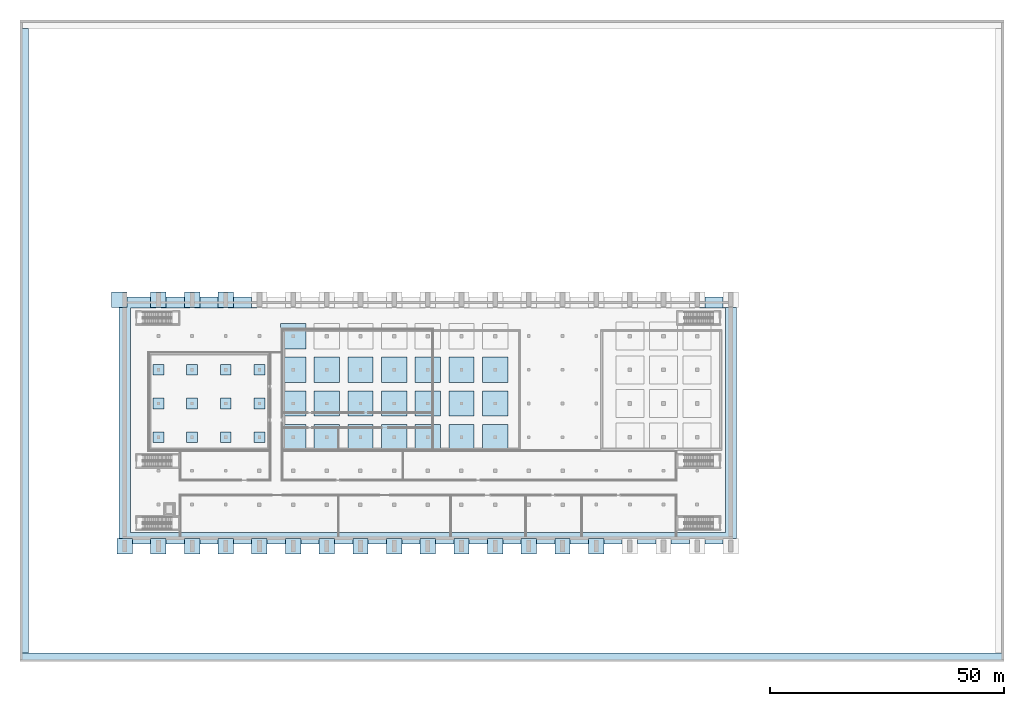
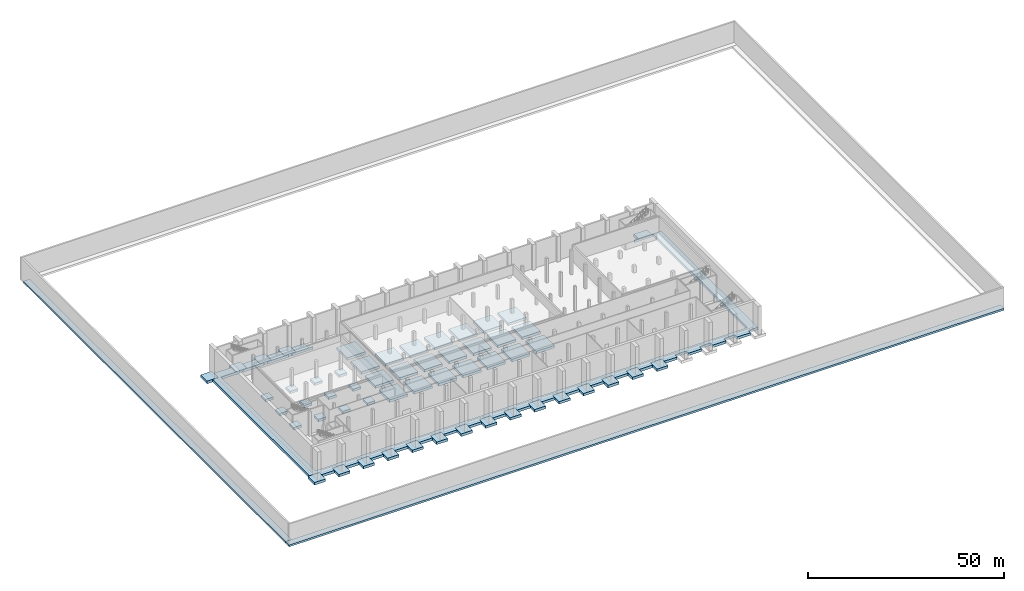
# One storey, part 1 of 14: 59 footings.
"""IFC4 building model written with IfcOpenShell, lengths in metres."""

from ifc_helpers import new_model, si_unit, direction, frame, origin, place, context, subcontext, project, spatial, polyline, outline, extrude, material, layer, layer_set, type_object, element, save


model = new_model("IFC4")

# Units and contexts
model_context = context("Model", 3, precision=1e-05, world=origin(), true_north=direction((0.0, 1.0)))
body_context = subcontext(model_context, "Body", "Model", "MODEL_VIEW")
ifc_project = project(units=[si_unit("LENGTHUNIT", "METRE"), si_unit("AREAUNIT", "SQUARE_METRE"), si_unit("VOLUMEUNIT", "CUBIC_METRE"), si_unit("PLANEANGLEUNIT", "RADIAN"), si_unit("MASSUNIT", "GRAM", prefix="KILO")], contexts=[model_context])

# Site, building, storey
site_placement = place(None, origin())
site = spatial("IfcSite", under=ifc_project, at=site_placement, CompositionType="ELEMENT")
building_placement = place(site_placement, origin())
building = spatial("IfcBuilding", under=site, at=building_placement, Name="Vermilion Court Aquatics Centre", CompositionType="ELEMENT")
storey_placement = place(building_placement, frame((0.0, 0.0, -8.0)))
storey = spatial("IfcBuildingStorey", under=building, at=storey_placement, Name="B1", CompositionType="ELEMENT", Elevation=-8.0)

# Footings
ifc_material_1 = material(Name="Concrete 5000 psi", Category="concrete")
ifc_layer_1 = layer(ifc_material_1, 0.800048828125)
ifc_layer_set_1 = layer_set([ifc_layer_1], Name="Hall competition column pad footing 5400")
footing_type_1 = type_object("IfcFootingType", Name="Hall competition column pad footing 5400", PredefinedType="PAD_FOOTING", material=ifc_layer_set_1)
footing_1_placement = place(storey_placement, frame((0.0, 0.0, -1.60009765625)))
element("IfcFooting", 1, at=footing_1_placement, inside=storey, type_object=footing_type_1, Name="Column pad footing", PredefinedType="PAD_FOOTING", context=body_context, shape_type="SweptSolid", body=[
    extrude(outline(polyline([(47.699951171875, 33.300048828125), (53.10009765625, 33.300048828125), (53.10009765625, 38.699951171875), (47.699951171875, 38.699951171875), (47.699951171875, 33.300048828125)])), origin(), (0.0, 0.0, 1.0), 0.800048828125),
])
footing_2_placement = place(storey_placement, frame((0.0, 0.0, -1.60009765625)))
element("IfcFooting", 2, at=footing_2_placement, inside=storey, type_object=footing_type_1, Name="Column pad footing", PredefinedType="PAD_FOOTING", context=body_context, shape_type="SweptSolid", body=[
    extrude(outline(polyline([(47.699951171875, 40.5), (53.10009765625, 40.5), (53.10009765625, 45.89990234375), (47.699951171875, 45.89990234375), (47.699951171875, 40.5)])), origin(), (0.0, 0.0, 1.0), 0.800048828125),
])
footing_3_placement = place(storey_placement, frame((0.0, 0.0, -1.60009765625)))
element("IfcFooting", 3, at=footing_3_placement, inside=storey, type_object=footing_type_1, Name="Column pad footing", PredefinedType="PAD_FOOTING", context=body_context, shape_type="SweptSolid", body=[
    extrude(outline(polyline([(47.699951171875, 47.699951171875), (53.10009765625, 47.699951171875), (53.10009765625, 53.10009765625), (47.699951171875, 53.10009765625), (47.699951171875, 47.699951171875)])), origin(), (0.0, 0.0, 1.0), 0.800048828125),
])
footing_4_placement = place(storey_placement, frame((0.0, 0.0, -1.60009765625)))
element("IfcFooting", 4, at=footing_4_placement, inside=storey, type_object=footing_type_1, Name="Column pad footing", PredefinedType="PAD_FOOTING", context=body_context, shape_type="SweptSolid", body=[
    extrude(outline(polyline([(47.699951171875, 54.89990234375), (53.10009765625, 54.89990234375), (53.10009765625, 60.300048828125), (47.699951171875, 60.300048828125), (47.699951171875, 54.89990234375)])), origin(), (0.0, 0.0, 1.0), 0.800048828125),
])
footing_5_placement = place(storey_placement, frame((0.0, 0.0, -1.60009765625)))
element("IfcFooting", 5, at=footing_5_placement, inside=storey, type_object=footing_type_1, Name="Column pad footing", PredefinedType="PAD_FOOTING", context=body_context, shape_type="SweptSolid", body=[
    extrude(outline(polyline([(54.89990234375, 33.300048828125), (60.300048828125, 33.300048828125), (60.300048828125, 38.699951171875), (54.89990234375, 38.699951171875), (54.89990234375, 33.300048828125)])), origin(), (0.0, 0.0, 1.0), 0.800048828125),
])
footing_6_placement = place(storey_placement, frame((0.0, 0.0, -1.60009765625)))
element("IfcFooting", 6, at=footing_6_placement, inside=storey, type_object=footing_type_1, Name="Column pad footing", PredefinedType="PAD_FOOTING", context=body_context, shape_type="SweptSolid", body=[
    extrude(outline(polyline([(54.89990234375, 40.5), (60.300048828125, 40.5), (60.300048828125, 45.89990234375), (54.89990234375, 45.89990234375), (54.89990234375, 40.5)])), origin(), (0.0, 0.0, 1.0), 0.800048828125),
])
footing_7_placement = place(storey_placement, frame((0.0, 0.0, -1.60009765625)))
element("IfcFooting", 7, at=footing_7_placement, inside=storey, type_object=footing_type_1, Name="Column pad footing", PredefinedType="PAD_FOOTING", context=body_context, shape_type="SweptSolid", body=[
    extrude(outline(polyline([(54.89990234375, 47.699951171875), (60.300048828125, 47.699951171875), (60.300048828125, 53.10009765625), (54.89990234375, 53.10009765625), (54.89990234375, 47.699951171875)])), origin(), (0.0, 0.0, 1.0), 0.800048828125),
])
footing_8_placement = place(storey_placement, frame((0.0, 0.0, -1.60009765625)))
element("IfcFooting", 8, at=footing_8_placement, inside=storey, type_object=footing_type_1, Name="Column pad footing", PredefinedType="PAD_FOOTING", context=body_context, shape_type="SweptSolid", body=[
    extrude(outline(polyline([(62.10009765625, 33.300048828125), (67.5, 33.300048828125), (67.5, 38.699951171875), (62.10009765625, 38.699951171875), (62.10009765625, 33.300048828125)])), origin(), (0.0, 0.0, 1.0), 0.800048828125),
])
footing_9_placement = place(storey_placement, frame((0.0, 0.0, -1.60009765625)))
element("IfcFooting", 9, at=footing_9_placement, inside=storey, type_object=footing_type_1, Name="Column pad footing", PredefinedType="PAD_FOOTING", context=body_context, shape_type="SweptSolid", body=[
    extrude(outline(polyline([(62.10009765625, 40.5), (67.5, 40.5), (67.5, 45.89990234375), (62.10009765625, 45.89990234375), (62.10009765625, 40.5)])), origin(), (0.0, 0.0, 1.0), 0.800048828125),
])
footing_10_placement = place(storey_placement, frame((0.0, 0.0, -1.60009765625)))
element("IfcFooting", 10, at=footing_10_placement, inside=storey, type_object=footing_type_1, Name="Column pad footing", PredefinedType="PAD_FOOTING", context=body_context, shape_type="SweptSolid", body=[
    extrude(outline(polyline([(62.10009765625, 47.699951171875), (67.5, 47.699951171875), (67.5, 53.10009765625), (62.10009765625, 53.10009765625), (62.10009765625, 47.699951171875)])), origin(), (0.0, 0.0, 1.0), 0.800048828125),
])
footing_11_placement = place(storey_placement, frame((0.0, 0.0, -1.60009765625)))
element("IfcFooting", 11, at=footing_11_placement, inside=storey, type_object=footing_type_1, Name="Column pad footing", PredefinedType="PAD_FOOTING", context=body_context, shape_type="SweptSolid", body=[
    extrude(outline(polyline([(69.300048828125, 33.300048828125), (74.699951171875, 33.300048828125), (74.699951171875, 38.699951171875), (69.300048828125, 38.699951171875), (69.300048828125, 33.300048828125)])), origin(), (0.0, 0.0, 1.0), 0.800048828125),
])
footing_12_placement = place(storey_placement, frame((0.0, 0.0, -1.60009765625)))
element("IfcFooting", 12, at=footing_12_placement, inside=storey, type_object=footing_type_1, Name="Column pad footing", PredefinedType="PAD_FOOTING", context=body_context, shape_type="SweptSolid", body=[
    extrude(outline(polyline([(69.300048828125, 40.5), (74.699951171875, 40.5), (74.699951171875, 45.89990234375), (69.300048828125, 45.89990234375), (69.300048828125, 40.5)])), origin(), (0.0, 0.0, 1.0), 0.800048828125),
])
footing_13_placement = place(storey_placement, frame((0.0, 0.0, -1.60009765625)))
element("IfcFooting", 13, at=footing_13_placement, inside=storey, type_object=footing_type_1, Name="Column pad footing", PredefinedType="PAD_FOOTING", context=body_context, shape_type="SweptSolid", body=[
    extrude(outline(polyline([(69.300048828125, 47.699951171875), (74.699951171875, 47.699951171875), (74.699951171875, 53.10009765625), (69.300048828125, 53.10009765625), (69.300048828125, 47.699951171875)])), origin(), (0.0, 0.0, 1.0), 0.800048828125),
])
footing_14_placement = place(storey_placement, frame((0.0, 0.0, -1.60009765625)))
element("IfcFooting", 14, at=footing_14_placement, inside=storey, type_object=footing_type_1, Name="Column pad footing", PredefinedType="PAD_FOOTING", context=body_context, shape_type="SweptSolid", body=[
    extrude(outline(polyline([(76.5, 33.300048828125), (81.89990234375, 33.300048828125), (81.89990234375, 38.699951171875), (76.5, 38.699951171875), (76.5, 33.300048828125)])), origin(), (0.0, 0.0, 1.0), 0.800048828125),
])
footing_15_placement = place(storey_placement, frame((0.0, 0.0, -1.60009765625)))
element("IfcFooting", 15, at=footing_15_placement, inside=storey, type_object=footing_type_1, Name="Column pad footing", PredefinedType="PAD_FOOTING", context=body_context, shape_type="SweptSolid", body=[
    extrude(outline(polyline([(76.5, 40.5), (81.89990234375, 40.5), (81.89990234375, 45.89990234375), (76.5, 45.89990234375), (76.5, 40.5)])), origin(), (0.0, 0.0, 1.0), 0.800048828125),
])
footing_16_placement = place(storey_placement, frame((0.0, 0.0, -1.60009765625)))
element("IfcFooting", 16, at=footing_16_placement, inside=storey, type_object=footing_type_1, Name="Column pad footing", PredefinedType="PAD_FOOTING", context=body_context, shape_type="SweptSolid", body=[
    extrude(outline(polyline([(76.5, 47.699951171875), (81.89990234375, 47.699951171875), (81.89990234375, 53.10009765625), (76.5, 53.10009765625), (76.5, 47.699951171875)])), origin(), (0.0, 0.0, 1.0), 0.800048828125),
])
footing_17_placement = place(storey_placement, frame((0.0, 0.0, -1.60009765625)))
element("IfcFooting", 17, at=footing_17_placement, inside=storey, type_object=footing_type_1, Name="Column pad footing", PredefinedType="PAD_FOOTING", context=body_context, shape_type="SweptSolid", body=[
    extrude(outline(polyline([(83.699951171875, 33.300048828125), (89.10009765625, 33.300048828125), (89.10009765625, 38.699951171875), (83.699951171875, 38.699951171875), (83.699951171875, 33.300048828125)])), origin(), (0.0, 0.0, 1.0), 0.800048828125),
])
footing_18_placement = place(storey_placement, frame((0.0, 0.0, -1.60009765625)))
element("IfcFooting", 18, at=footing_18_placement, inside=storey, type_object=footing_type_1, Name="Column pad footing", PredefinedType="PAD_FOOTING", context=body_context, shape_type="SweptSolid", body=[
    extrude(outline(polyline([(83.699951171875, 40.5), (89.10009765625, 40.5), (89.10009765625, 45.89990234375), (83.699951171875, 45.89990234375), (83.699951171875, 40.5)])), origin(), (0.0, 0.0, 1.0), 0.800048828125),
])
footing_19_placement = place(storey_placement, frame((0.0, 0.0, -1.60009765625)))
element("IfcFooting", 19, at=footing_19_placement, inside=storey, type_object=footing_type_1, Name="Column pad footing", PredefinedType="PAD_FOOTING", context=body_context, shape_type="SweptSolid", body=[
    extrude(outline(polyline([(83.699951171875, 47.699951171875), (89.10009765625, 47.699951171875), (89.10009765625, 53.10009765625), (83.699951171875, 53.10009765625), (83.699951171875, 47.699951171875)])), origin(), (0.0, 0.0, 1.0), 0.800048828125),
])
footing_20_placement = place(storey_placement, frame((0.0, 0.0, -1.60009765625)))
element("IfcFooting", 20, at=footing_20_placement, inside=storey, type_object=footing_type_1, Name="Column pad footing", PredefinedType="PAD_FOOTING", context=body_context, shape_type="SweptSolid", body=[
    extrude(outline(polyline([(90.89990234375, 33.300048828125), (96.300048828125, 33.300048828125), (96.300048828125, 38.699951171875), (90.89990234375, 38.699951171875), (90.89990234375, 33.300048828125)])), origin(), (0.0, 0.0, 1.0), 0.800048828125),
])
footing_21_placement = place(storey_placement, frame((0.0, 0.0, -1.60009765625)))
element("IfcFooting", 21, at=footing_21_placement, inside=storey, type_object=footing_type_1, Name="Column pad footing", PredefinedType="PAD_FOOTING", context=body_context, shape_type="SweptSolid", body=[
    extrude(outline(polyline([(90.89990234375, 40.5), (96.300048828125, 40.5), (96.300048828125, 45.89990234375), (90.89990234375, 45.89990234375), (90.89990234375, 40.5)])), origin(), (0.0, 0.0, 1.0), 0.800048828125),
])
footing_22_placement = place(storey_placement, frame((0.0, 0.0, -1.60009765625)))
element("IfcFooting", 22, at=footing_22_placement, inside=storey, type_object=footing_type_1, Name="Column pad footing", PredefinedType="PAD_FOOTING", context=body_context, shape_type="SweptSolid", body=[
    extrude(outline(polyline([(90.89990234375, 47.699951171875), (96.300048828125, 47.699951171875), (96.300048828125, 53.10009765625), (90.89990234375, 53.10009765625), (90.89990234375, 47.699951171875)])), origin(), (0.0, 0.0, 1.0), 0.800048828125),
])
ifc_material_2 = material(Name="Concrete 5000 psi", Category="concrete")
ifc_layer_2 = layer(ifc_material_2, 0.75)
ifc_layer_set_2 = layer_set([ifc_layer_2], Name="Hall pad footing 2300")
footing_type_2 = type_object("IfcFootingType", Name="Hall pad footing 2300", PredefinedType="PAD_FOOTING", material=ifc_layer_set_2)
footing_23_placement = place(storey_placement, frame((0.0, 0.0, -1.550048828125)))
element("IfcFooting", 23, at=footing_23_placement, inside=storey, type_object=footing_type_2, Name="Column pad footing", PredefinedType="PAD_FOOTING", context=body_context, shape_type="SweptSolid", body=[
    extrude(outline(polyline([(20.449951171875, 34.85009765625), (22.75, 34.85009765625), (22.75, 37.14990234375), (20.449951171875, 37.14990234375), (20.449951171875, 34.85009765625)])), origin(), (0.0, 0.0, 1.0), 0.75),
])
footing_24_placement = place(storey_placement, frame((0.0, 0.0, -1.550048828125)))
element("IfcFooting", 24, at=footing_24_placement, inside=storey, type_object=footing_type_2, Name="Column pad footing", PredefinedType="PAD_FOOTING", context=body_context, shape_type="SweptSolid", body=[
    extrude(outline(polyline([(20.449951171875, 42.050048828125), (22.75, 42.050048828125), (22.75, 44.35009765625), (20.449951171875, 44.35009765625), (20.449951171875, 42.050048828125)])), origin(), (0.0, 0.0, 1.0), 0.75),
])
footing_25_placement = place(storey_placement, frame((0.0, 0.0, -1.550048828125)))
element("IfcFooting", 25, at=footing_25_placement, inside=storey, type_object=footing_type_2, Name="Column pad footing", PredefinedType="PAD_FOOTING", context=body_context, shape_type="SweptSolid", body=[
    extrude(outline(polyline([(20.449951171875, 49.25), (22.75, 49.25), (22.75, 51.550048828125), (20.449951171875, 51.550048828125), (20.449951171875, 49.25)])), origin(), (0.0, 0.0, 1.0), 0.75),
])
footing_26_placement = place(storey_placement, frame((0.0, 0.0, -1.550048828125)))
element("IfcFooting", 26, at=footing_26_placement, inside=storey, type_object=footing_type_2, Name="Column pad footing", PredefinedType="PAD_FOOTING", context=body_context, shape_type="SweptSolid", body=[
    extrude(outline(polyline([(27.64990234375, 34.85009765625), (29.949951171875, 34.85009765625), (29.949951171875, 37.14990234375), (27.64990234375, 37.14990234375), (27.64990234375, 34.85009765625)])), origin(), (0.0, 0.0, 1.0), 0.75),
])
footing_27_placement = place(storey_placement, frame((0.0, 0.0, -1.550048828125)))
element("IfcFooting", 27, at=footing_27_placement, inside=storey, type_object=footing_type_2, Name="Column pad footing", PredefinedType="PAD_FOOTING", context=body_context, shape_type="SweptSolid", body=[
    extrude(outline(polyline([(27.64990234375, 42.050048828125), (29.949951171875, 42.050048828125), (29.949951171875, 44.35009765625), (27.64990234375, 44.35009765625), (27.64990234375, 42.050048828125)])), origin(), (0.0, 0.0, 1.0), 0.75),
])
footing_28_placement = place(storey_placement, frame((0.0, 0.0, -1.550048828125)))
element("IfcFooting", 28, at=footing_28_placement, inside=storey, type_object=footing_type_2, Name="Column pad footing", PredefinedType="PAD_FOOTING", context=body_context, shape_type="SweptSolid", body=[
    extrude(outline(polyline([(27.64990234375, 49.25), (29.949951171875, 49.25), (29.949951171875, 51.550048828125), (27.64990234375, 51.550048828125), (27.64990234375, 49.25)])), origin(), (0.0, 0.0, 1.0), 0.75),
])
footing_29_placement = place(storey_placement, frame((0.0, 0.0, -1.550048828125)))
element("IfcFooting", 29, at=footing_29_placement, inside=storey, type_object=footing_type_2, Name="Column pad footing", PredefinedType="PAD_FOOTING", context=body_context, shape_type="SweptSolid", body=[
    extrude(outline(polyline([(34.85009765625, 34.85009765625), (37.14990234375, 34.85009765625), (37.14990234375, 37.14990234375), (34.85009765625, 37.14990234375), (34.85009765625, 34.85009765625)])), origin(), (0.0, 0.0, 1.0), 0.75),
])
footing_30_placement = place(storey_placement, frame((0.0, 0.0, -1.550048828125)))
element("IfcFooting", 30, at=footing_30_placement, inside=storey, type_object=footing_type_2, Name="Column pad footing", PredefinedType="PAD_FOOTING", context=body_context, shape_type="SweptSolid", body=[
    extrude(outline(polyline([(34.85009765625, 42.050048828125), (37.14990234375, 42.050048828125), (37.14990234375, 44.35009765625), (34.85009765625, 44.35009765625), (34.85009765625, 42.050048828125)])), origin(), (0.0, 0.0, 1.0), 0.75),
])
footing_31_placement = place(storey_placement, frame((0.0, 0.0, -1.550048828125)))
element("IfcFooting", 31, at=footing_31_placement, inside=storey, type_object=footing_type_2, Name="Column pad footing", PredefinedType="PAD_FOOTING", context=body_context, shape_type="SweptSolid", body=[
    extrude(outline(polyline([(34.85009765625, 49.25), (37.14990234375, 49.25), (37.14990234375, 51.550048828125), (34.85009765625, 51.550048828125), (34.85009765625, 49.25)])), origin(), (0.0, 0.0, 1.0), 0.75),
])
footing_32_placement = place(storey_placement, frame((0.0, 0.0, -1.550048828125)))
element("IfcFooting", 32, at=footing_32_placement, inside=storey, type_object=footing_type_2, Name="Column pad footing", PredefinedType="PAD_FOOTING", context=body_context, shape_type="SweptSolid", body=[
    extrude(outline(polyline([(42.050048828125, 34.85009765625), (44.35009765625, 34.85009765625), (44.35009765625, 37.14990234375), (42.050048828125, 37.14990234375), (42.050048828125, 34.85009765625)])), origin(), (0.0, 0.0, 1.0), 0.75),
])
footing_33_placement = place(storey_placement, frame((0.0, 0.0, -1.550048828125)))
element("IfcFooting", 33, at=footing_33_placement, inside=storey, type_object=footing_type_2, Name="Column pad footing", PredefinedType="PAD_FOOTING", context=body_context, shape_type="SweptSolid", body=[
    extrude(outline(polyline([(42.050048828125, 42.050048828125), (44.35009765625, 42.050048828125), (44.35009765625, 44.35009765625), (42.050048828125, 44.35009765625), (42.050048828125, 42.050048828125)])), origin(), (0.0, 0.0, 1.0), 0.75),
])
footing_34_placement = place(storey_placement, frame((0.0, 0.0, -1.550048828125)))
element("IfcFooting", 34, at=footing_34_placement, inside=storey, type_object=footing_type_2, Name="Column pad footing", PredefinedType="PAD_FOOTING", context=body_context, shape_type="SweptSolid", body=[
    extrude(outline(polyline([(42.050048828125, 49.25), (44.35009765625, 49.25), (44.35009765625, 51.550048828125), (42.050048828125, 51.550048828125), (42.050048828125, 49.25)])), origin(), (0.0, 0.0, 1.0), 0.75),
])
ifc_material_3 = material(Name="Concrete 5000 psi", Category="concrete")
ifc_layer_3 = layer(ifc_material_3, 0.800048828125)
ifc_layer_set_3 = layer_set([ifc_layer_3], Name="Hall pier pad footing 3300")
footing_type_3 = type_object("IfcFootingType", Name="Hall pier pad footing 3300", PredefinedType="PAD_FOOTING", material=ifc_layer_set_3)
footing_35_placement = place(storey_placement, frame((0.0, 0.0, -1.60009765625)))
element("IfcFooting", 35, at=footing_35_placement, inside=storey, type_object=footing_type_3, Name="Pier pad footing", PredefinedType="PAD_FOOTING", context=body_context, shape_type="SweptSolid", body=[
    extrude(outline(polyline([(11.60009765625, 63.75), (14.89990234375, 63.75), (14.89990234375, 67.050048828125), (11.60009765625, 67.050048828125), (11.60009765625, 63.75)])), origin(), (0.0, 0.0, 1.0), 0.800048828125),
])
footing_36_placement = place(storey_placement, frame((0.0, 0.0, -1.60009765625)))
element("IfcFooting", 36, at=footing_36_placement, inside=storey, type_object=footing_type_3, Name="Pier pad footing", PredefinedType="PAD_FOOTING", context=body_context, shape_type="SweptSolid", body=[
    extrude(outline(polyline([(12.75, 11.050048828125), (16.050048828125, 11.050048828125), (16.050048828125, 14.35009765625), (12.75, 14.35009765625), (12.75, 11.050048828125)])), origin(), (0.0, 0.0, 1.0), 0.800048828125),
])
footing_37_placement = place(storey_placement, frame((0.0, 0.0, -1.60009765625)))
element("IfcFooting", 37, at=footing_37_placement, inside=storey, type_object=footing_type_3, Name="Pier pad footing", PredefinedType="PAD_FOOTING", context=body_context, shape_type="SweptSolid", body=[
    extrude(outline(polyline([(19.949951171875, 63.75), (23.25, 63.75), (23.25, 67.050048828125), (19.949951171875, 67.050048828125), (19.949951171875, 63.75)])), origin(), (0.0, 0.0, 1.0), 0.800048828125),
])
footing_38_placement = place(storey_placement, frame((0.0, 0.0, -1.60009765625)))
element("IfcFooting", 38, at=footing_38_placement, inside=storey, type_object=footing_type_3, Name="Pier pad footing", PredefinedType="PAD_FOOTING", context=body_context, shape_type="SweptSolid", body=[
    extrude(outline(polyline([(19.949951171875, 11.050048828125), (23.25, 11.050048828125), (23.25, 14.35009765625), (19.949951171875, 14.35009765625), (19.949951171875, 11.050048828125)])), origin(), (0.0, 0.0, 1.0), 0.800048828125),
])
footing_39_placement = place(storey_placement, frame((0.0, 0.0, -1.60009765625)))
element("IfcFooting", 39, at=footing_39_placement, inside=storey, type_object=footing_type_3, Name="Pier pad footing", PredefinedType="PAD_FOOTING", context=body_context, shape_type="SweptSolid", body=[
    extrude(outline(polyline([(27.14990234375, 63.75), (30.449951171875, 63.75), (30.449951171875, 67.050048828125), (27.14990234375, 67.050048828125), (27.14990234375, 63.75)])), origin(), (0.0, 0.0, 1.0), 0.800048828125),
])
footing_40_placement = place(storey_placement, frame((0.0, 0.0, -1.60009765625)))
element("IfcFooting", 40, at=footing_40_placement, inside=storey, type_object=footing_type_3, Name="Pier pad footing", PredefinedType="PAD_FOOTING", context=body_context, shape_type="SweptSolid", body=[
    extrude(outline(polyline([(27.14990234375, 11.050048828125), (30.449951171875, 11.050048828125), (30.449951171875, 14.35009765625), (27.14990234375, 14.35009765625), (27.14990234375, 11.050048828125)])), origin(), (0.0, 0.0, 1.0), 0.800048828125),
])
footing_41_placement = place(storey_placement, frame((0.0, 0.0, -1.60009765625)))
element("IfcFooting", 41, at=footing_41_placement, inside=storey, type_object=footing_type_3, Name="Pier pad footing", PredefinedType="PAD_FOOTING", context=body_context, shape_type="SweptSolid", body=[
    extrude(outline(polyline([(34.35009765625, 63.75), (37.64990234375, 63.75), (37.64990234375, 67.050048828125), (34.35009765625, 67.050048828125), (34.35009765625, 63.75)])), origin(), (0.0, 0.0, 1.0), 0.800048828125),
])
footing_42_placement = place(storey_placement, frame((0.0, 0.0, -1.60009765625)))
element("IfcFooting", 42, at=footing_42_placement, inside=storey, type_object=footing_type_3, Name="Pier pad footing", PredefinedType="PAD_FOOTING", context=body_context, shape_type="SweptSolid", body=[
    extrude(outline(polyline([(34.35009765625, 11.050048828125), (37.64990234375, 11.050048828125), (37.64990234375, 14.35009765625), (34.35009765625, 14.35009765625), (34.35009765625, 11.050048828125)])), origin(), (0.0, 0.0, 1.0), 0.800048828125),
])
footing_43_placement = place(storey_placement, frame((0.0, 0.0, -1.60009765625)))
element("IfcFooting", 43, at=footing_43_placement, inside=storey, type_object=footing_type_3, Name="Pier pad footing", PredefinedType="PAD_FOOTING", context=body_context, shape_type="SweptSolid", body=[
    extrude(outline(polyline([(41.550048828125, 11.050048828125), (44.85009765625, 11.050048828125), (44.85009765625, 14.35009765625), (41.550048828125, 14.35009765625), (41.550048828125, 11.050048828125)])), origin(), (0.0, 0.0, 1.0), 0.800048828125),
])
footing_44_placement = place(storey_placement, frame((0.0, 0.0, -1.60009765625)))
element("IfcFooting", 44, at=footing_44_placement, inside=storey, type_object=footing_type_3, Name="Pier pad footing", PredefinedType="PAD_FOOTING", context=body_context, shape_type="SweptSolid", body=[
    extrude(outline(polyline([(48.75, 11.050048828125), (52.050048828125, 11.050048828125), (52.050048828125, 14.35009765625), (48.75, 14.35009765625), (48.75, 11.050048828125)])), origin(), (0.0, 0.0, 1.0), 0.800048828125),
])
footing_45_placement = place(storey_placement, frame((0.0, 0.0, -1.60009765625)))
element("IfcFooting", 45, at=footing_45_placement, inside=storey, type_object=footing_type_3, Name="Pier pad footing", PredefinedType="PAD_FOOTING", context=body_context, shape_type="SweptSolid", body=[
    extrude(outline(polyline([(55.949951171875, 11.050048828125), (59.25, 11.050048828125), (59.25, 14.35009765625), (55.949951171875, 14.35009765625), (55.949951171875, 11.050048828125)])), origin(), (0.0, 0.0, 1.0), 0.800048828125),
])
footing_46_placement = place(storey_placement, frame((0.0, 0.0, -1.60009765625)))
element("IfcFooting", 46, at=footing_46_placement, inside=storey, type_object=footing_type_3, Name="Pier pad footing", PredefinedType="PAD_FOOTING", context=body_context, shape_type="SweptSolid", body=[
    extrude(outline(polyline([(63.14990234375, 11.050048828125), (66.449951171875, 11.050048828125), (66.449951171875, 14.35009765625), (63.14990234375, 14.35009765625), (63.14990234375, 11.050048828125)])), origin(), (0.0, 0.0, 1.0), 0.800048828125),
])
footing_47_placement = place(storey_placement, frame((0.0, 0.0, -1.60009765625)))
element("IfcFooting", 47, at=footing_47_placement, inside=storey, type_object=footing_type_3, Name="Pier pad footing", PredefinedType="PAD_FOOTING", context=body_context, shape_type="SweptSolid", body=[
    extrude(outline(polyline([(70.35009765625, 11.050048828125), (73.64990234375, 11.050048828125), (73.64990234375, 14.35009765625), (70.35009765625, 14.35009765625), (70.35009765625, 11.050048828125)])), origin(), (0.0, 0.0, 1.0), 0.800048828125),
])
footing_48_placement = place(storey_placement, frame((0.0, 0.0, -1.60009765625)))
element("IfcFooting", 48, at=footing_48_placement, inside=storey, type_object=footing_type_3, Name="Pier pad footing", PredefinedType="PAD_FOOTING", context=body_context, shape_type="SweptSolid", body=[
    extrude(outline(polyline([(77.550048828125, 11.050048828125), (80.85009765625, 11.050048828125), (80.85009765625, 14.35009765625), (77.550048828125, 14.35009765625), (77.550048828125, 11.050048828125)])), origin(), (0.0, 0.0, 1.0), 0.800048828125),
])
footing_49_placement = place(storey_placement, frame((0.0, 0.0, -1.60009765625)))
element("IfcFooting", 49, at=footing_49_placement, inside=storey, type_object=footing_type_3, Name="Pier pad footing", PredefinedType="PAD_FOOTING", context=body_context, shape_type="SweptSolid", body=[
    extrude(outline(polyline([(84.75, 11.050048828125), (88.050048828125, 11.050048828125), (88.050048828125, 14.35009765625), (84.75, 14.35009765625), (84.75, 11.050048828125)])), origin(), (0.0, 0.0, 1.0), 0.800048828125),
])
footing_50_placement = place(storey_placement, frame((0.0, 0.0, -1.60009765625)))
element("IfcFooting", 50, at=footing_50_placement, inside=storey, type_object=footing_type_3, Name="Pier pad footing", PredefinedType="PAD_FOOTING", context=body_context, shape_type="SweptSolid", body=[
    extrude(outline(polyline([(91.949951171875, 11.050048828125), (95.25, 11.050048828125), (95.25, 14.35009765625), (91.949951171875, 14.35009765625), (91.949951171875, 11.050048828125)])), origin(), (0.0, 0.0, 1.0), 0.800048828125),
])
footing_51_placement = place(storey_placement, frame((0.0, 0.0, -1.60009765625)))
element("IfcFooting", 51, at=footing_51_placement, inside=storey, type_object=footing_type_3, Name="Pier pad footing", PredefinedType="PAD_FOOTING", context=body_context, shape_type="SweptSolid", body=[
    extrude(outline(polyline([(99.14990234375, 11.050048828125), (102.449951171875, 11.050048828125), (102.449951171875, 14.35009765625), (99.14990234375, 14.35009765625), (99.14990234375, 11.050048828125)])), origin(), (0.0, 0.0, 1.0), 0.800048828125),
])
footing_52_placement = place(storey_placement, frame((0.0, 0.0, -1.60009765625)))
element("IfcFooting", 52, at=footing_52_placement, inside=storey, type_object=footing_type_3, Name="Pier pad footing", PredefinedType="PAD_FOOTING", context=body_context, shape_type="SweptSolid", body=[
    extrude(outline(polyline([(106.35009765625, 11.050048828125), (109.64990234375, 11.050048828125), (109.64990234375, 14.35009765625), (106.35009765625, 14.35009765625), (106.35009765625, 11.050048828125)])), origin(), (0.0, 0.0, 1.0), 0.800048828125),
])
footing_53_placement = place(storey_placement, frame((0.0, 0.0, -1.60009765625)))
element("IfcFooting", 53, at=footing_53_placement, inside=storey, type_object=footing_type_3, Name="Pier pad footing", PredefinedType="PAD_FOOTING", context=body_context, shape_type="SweptSolid", body=[
    extrude(outline(polyline([(113.550048828125, 11.050048828125), (116.85009765625, 11.050048828125), (116.85009765625, 14.35009765625), (113.550048828125, 14.35009765625), (113.550048828125, 11.050048828125)])), origin(), (0.0, 0.0, 1.0), 0.800048828125),
])
ifc_material_4 = material(Name="Concrete 5000 psi", Category="concrete")
ifc_layer_4 = layer(ifc_material_4, 0.800048828125)
ifc_layer_set_4 = layer_set([ifc_layer_4], Name="Hall wall strip footing 2400")
footing_type_4 = type_object("IfcFootingType", Name="Hall wall strip footing 2400", PredefinedType="STRIP_FOOTING", material=ifc_layer_set_4)
footing_54_placement = place(storey_placement, frame((0.0, 0.0, -1.60009765625)))
element("IfcFooting", 54, at=footing_54_placement, inside=storey, type_object=footing_type_4, Name="Wall strip footing", PredefinedType="STRIP_FOOTING", context=body_context, shape_type="SweptSolid", body=[
    extrude(outline(polyline([(13.199951171875, 63.75), (14.89990234375, 63.75), (14.89990234375, 63.89990234375), (14.89990234375, 66.0), (19.949951171875, 66.0), (19.949951171875, 63.75), (21.10009765625, 63.75), (21.10009765625, 63.60009765625), (15.60009765625, 63.60009765625), (15.60009765625, 15.60009765625), (142.800048828125, 15.60009765625), (142.800048828125, 63.60009765625), (137.300048828125, 63.60009765625), (137.300048828125, 63.75), (138.449951171875, 63.75), (138.449951171875, 66.0), (142.35009765625, 66.0), (142.35009765625, 63.75), (145.199951171875, 63.75), (145.199951171875, 15.60009765625), (145.199951171875, 14.35009765625), (142.35009765625, 14.35009765625), (142.35009765625, 13.199951171875), (138.449951171875, 13.199951171875), (138.449951171875, 14.35009765625), (135.14990234375, 14.35009765625), (135.14990234375, 13.199951171875), (131.25, 13.199951171875), (131.25, 14.35009765625), (127.949951171875, 14.35009765625), (127.949951171875, 13.199951171875), (124.050048828125, 13.199951171875), (124.050048828125, 14.35009765625), (120.75, 14.35009765625), (120.75, 13.199951171875), (116.85009765625, 13.199951171875), (116.85009765625, 14.35009765625), (113.550048828125, 14.35009765625), (113.550048828125, 13.199951171875), (109.64990234375, 13.199951171875), (109.64990234375, 14.35009765625), (106.35009765625, 14.35009765625), (106.35009765625, 13.199951171875), (102.449951171875, 13.199951171875), (102.449951171875, 14.35009765625), (99.14990234375, 14.35009765625), (99.14990234375, 13.199951171875), (95.25, 13.199951171875), (95.25, 14.35009765625), (91.949951171875, 14.35009765625), (91.949951171875, 13.199951171875), (88.050048828125, 13.199951171875), (88.050048828125, 14.35009765625), (84.75, 14.35009765625), (84.75, 13.199951171875), (80.85009765625, 13.199951171875), (80.85009765625, 14.35009765625), (77.550048828125, 14.35009765625), (77.550048828125, 13.199951171875), (73.64990234375, 13.199951171875), (73.64990234375, 14.35009765625), (70.35009765625, 14.35009765625), (70.35009765625, 13.199951171875), (66.449951171875, 13.199951171875), (66.449951171875, 14.35009765625), (63.14990234375, 14.35009765625), (63.14990234375, 13.199951171875), (59.25, 13.199951171875), (59.25, 14.35009765625), (55.949951171875, 14.35009765625), (55.949951171875, 13.199951171875), (52.050048828125, 13.199951171875), (52.050048828125, 14.35009765625), (48.75, 14.35009765625), (48.75, 13.199951171875), (44.85009765625, 13.199951171875), (44.85009765625, 14.35009765625), (41.550048828125, 14.35009765625), (41.550048828125, 13.199951171875), (37.64990234375, 13.199951171875), (37.64990234375, 14.35009765625), (34.35009765625, 14.35009765625), (34.35009765625, 13.199951171875), (30.449951171875, 13.199951171875), (30.449951171875, 14.35009765625), (27.14990234375, 14.35009765625), (27.14990234375, 13.199951171875), (23.25, 13.199951171875), (23.25, 14.35009765625), (19.949951171875, 14.35009765625), (19.949951171875, 13.199951171875), (16.050048828125, 13.199951171875), (16.050048828125, 14.35009765625), (13.199951171875, 14.35009765625), (13.199951171875, 15.60009765625), (13.199951171875, 63.75)])), origin(), (0.0, 0.0, 1.0), 0.800048828125),
])
footing_55_placement = place(storey_placement, frame((0.0, 0.0, -1.60009765625)))
element("IfcFooting", 55, at=footing_55_placement, inside=storey, type_object=footing_type_4, Name="Wall strip footing", PredefinedType="STRIP_FOOTING", context=body_context, shape_type="SweptSolid", body=[
    extrude(outline(polyline([(22.10009765625, 63.75), (23.25, 63.75), (23.25, 66.0), (27.14990234375, 66.0), (27.14990234375, 63.75), (28.300048828125, 63.75), (28.300048828125, 63.60009765625), (22.10009765625, 63.60009765625), (22.10009765625, 63.75)])), origin(), (0.0, 0.0, 1.0), 0.800048828125),
])
footing_56_placement = place(storey_placement, frame((0.0, 0.0, -1.60009765625)))
element("IfcFooting", 56, at=footing_56_placement, inside=storey, type_object=footing_type_4, Name="Wall strip footing", PredefinedType="STRIP_FOOTING", context=body_context, shape_type="SweptSolid", body=[
    extrude(outline(polyline([(29.300048828125, 63.75), (30.449951171875, 63.75), (30.449951171875, 66.0), (34.35009765625, 66.0), (34.35009765625, 63.75), (35.5, 63.75), (35.5, 63.60009765625), (29.300048828125, 63.60009765625), (29.300048828125, 63.75)])), origin(), (0.0, 0.0, 1.0), 0.800048828125),
])
footing_57_placement = place(storey_placement, frame((0.0, 0.0, -1.60009765625)))
element("IfcFooting", 57, at=footing_57_placement, inside=storey, type_object=footing_type_4, Name="Wall strip footing", PredefinedType="STRIP_FOOTING", context=body_context, shape_type="SweptSolid", body=[
    extrude(outline(polyline([(36.5, 63.60009765625), (36.5, 63.75), (37.64990234375, 63.75), (37.64990234375, 66.0), (41.550048828125, 66.0), (41.550048828125, 63.75), (42.699951171875, 63.75), (42.699951171875, 63.60009765625), (36.5, 63.60009765625)])), origin(), (0.0, 0.0, 1.0), 0.800048828125),
])
ifc_material_5 = material(Name="Concrete 5000 psi", Category="concrete")
ifc_layer_5 = layer(ifc_material_5, 0.60009765625)
ifc_layer_set_5 = layer_set([ifc_layer_5], Name="Perimeter wall footing 1800x600")
footing_type_5 = type_object("IfcFootingType", Name="Perimeter wall footing 1800x600", PredefinedType="STRIP_FOOTING", material=ifc_layer_set_5)
footing_58_placement = place(storey_placement, frame((0.0, 0.0, 0.449951171875)))
element("IfcFooting", 58, at=footing_58_placement, inside=storey, type_object=footing_type_5, Name="Perimeter wall footing", PredefinedType="STRIP_FOOTING", context=body_context, shape_type="SweptSolid", body=[
    extrude(outline(polyline([(-8.0, -12.0), (202.39990234375, -12.0), (202.39990234375, -10.199951171875), (-8.0, -10.199951171875), (-8.0, -12.0)])), origin(), (0.0, 0.0, 1.0), 0.60009765625),
])
footing_59_placement = place(storey_placement, frame((0.0, 0.0, 0.449951171875)))
element("IfcFooting", 59, at=footing_59_placement, inside=storey, type_object=footing_type_5, Name="Perimeter wall footing", PredefinedType="STRIP_FOOTING", context=body_context, shape_type="SweptSolid", body=[
    extrude(outline(polyline([(-8.0, -10.199951171875), (-6.199951171875, -10.199951171875), (-6.199951171875, 123.39990234375), (-8.0, 123.39990234375), (-8.0, -10.199951171875)])), origin(), (0.0, 0.0, 1.0), 0.60009765625),
])

save(model, "model.ifc")
